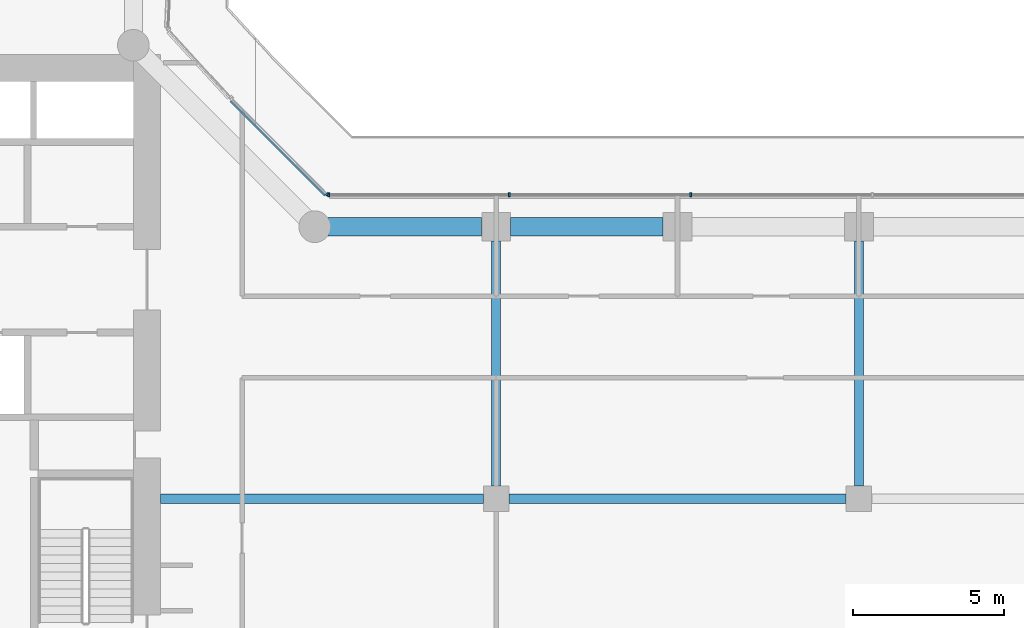
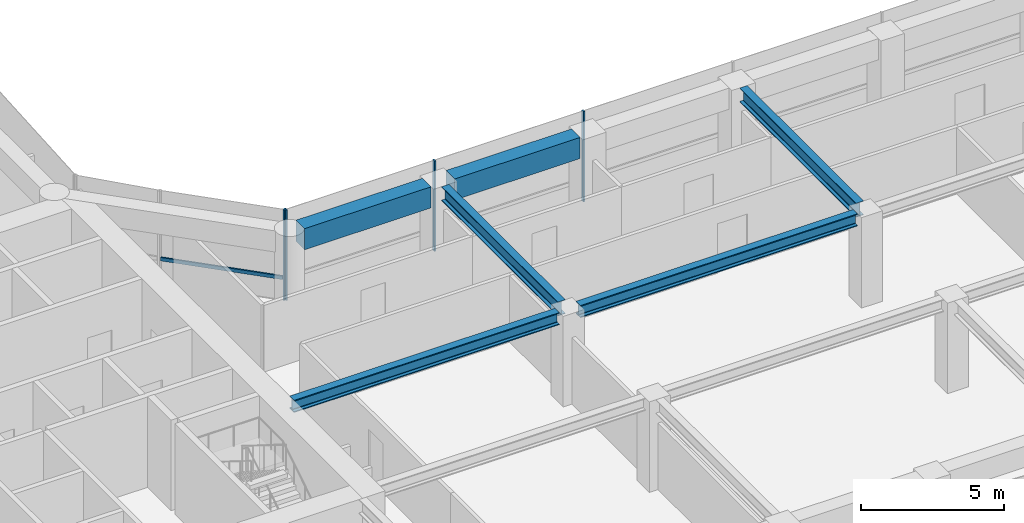
# One storey, part 9 of 29: 6 beams, 5 members, 2 elements without a shape of their own.
"""IFC4 building model written with IfcOpenShell, lengths in metres."""

import ifcopenshell
import ifcopenshell.guid

model = None  # the IFC model being written
_history = None  # IfcOwnerHistory: only IFC2X3 demands one
_inside = {}  # id of a spatial element -> (the spatial element, [elements in it])
_under = {}  # id of a project, library or spatial element -> (it, [spatial elements below it])
_declared = {}  # id of a project -> (the project, [libraries it declares])
_typed = {}  # id of a type object -> (the type object, [elements of that type])
_made_of = {}  # id of a material, layer set ... -> (it, [elements and type objects made of it])


def new_model(schema):
    """Start an empty IFC model of exactly this schema.

    Asked for "IFC4X3", IfcOpenShell would pick the latest addendum, in which some entities
    have other attributes; the version numbers below select the first issue.
    IFC2X3 requires an IfcOwnerHistory on every rooted entity: one is made here for all.
    """
    global model, _history
    if schema == "IFC4X3":
        model = ifcopenshell.file(schema_version=(4, 3, 0, 0))
    else:
        model = ifcopenshell.file(schema=schema)
    _inside.clear()
    _under.clear()
    _declared.clear()
    _typed.clear()
    _made_of.clear()
    _history = None
    if model.schema == "IFC2X3":
        org = make("IfcOrganization", Name="unknown")
        user = make(
            "IfcPersonAndOrganization",
            ThePerson=make("IfcPerson", FamilyName="unknown"),
            TheOrganization=org,
        )
        app = make(
            "IfcApplication",
            ApplicationDeveloper=org,
            Version="unknown",
            ApplicationFullName="unknown",
            ApplicationIdentifier="unknown",
        )
        _history = make(
            "IfcOwnerHistory",
            OwningUser=user,
            OwningApplication=app,
            ChangeAction="ADDED",
            CreationDate=0,
        )
    return model


def make(cls, **values):
    """One entity of the class cls with the attributes given. An attribute that is None is left unset."""
    return model.create_entity(
        cls, **{name: value for name, value in values.items() if value is not None}
    )


def rooted(cls, **values):
    """An entity with a GlobalId (a new one), such as an element, a storey or a relation."""
    return make(cls, GlobalId=ifcopenshell.guid.new(), OwnerHistory=_history, **values)


def si_unit(unit_type, name, prefix=None):
    """IfcSIUnit, for example si_unit("LENGTHUNIT", "METRE", prefix="MILLI")."""
    return make("IfcSIUnit", UnitType=unit_type, Prefix=prefix, Name=name)


def assignment(units):
    """IfcUnitAssignment: the units of a project."""
    return None if units is None else make("IfcUnitAssignment", Units=units)


def point(xyz):
    """IfcCartesianPoint."""
    return None if xyz is None else make("IfcCartesianPoint", Coordinates=xyz)


def direction(xyz):
    """IfcDirection."""
    return None if xyz is None else make("IfcDirection", DirectionRatios=xyz)


def frame(location, z_axis=None, x_axis=None):
    """IfcAxis2Placement3D, a coordinate frame: its origin and axes. An axis left out is left unset."""
    return make(
        "IfcAxis2Placement3D",
        Location=point(location),
        Axis=direction(z_axis),
        RefDirection=direction(x_axis),
    )


def frame_2d(location, x_axis=None):
    """IfcAxis2Placement2D, a coordinate frame in the plane: its origin and x axis."""
    return make(
        "IfcAxis2Placement2D", Location=point(location), RefDirection=direction(x_axis)
    )


def origin():
    """The frame at (0, 0, 0) with its axes left unset."""
    return frame((0.0, 0.0, 0.0))


def origin_2d():
    """The frame at (0, 0) in the plane with its x axis left unset."""
    return frame_2d((0.0, 0.0))


def place(relative_to, where):
    """IfcLocalPlacement: puts the frame where relative to a parent placement (None: the world)."""
    return make(
        "IfcLocalPlacement", PlacementRelTo=relative_to, RelativePlacement=where
    )


def context(
    kind, dimensions, precision=None, world=None, true_north=None, identifier=None
):
    """IfcGeometricRepresentationContext, for example the 3D "Model" context."""
    return make(
        "IfcGeometricRepresentationContext",
        ContextIdentifier=identifier,
        ContextType=kind,
        CoordinateSpaceDimension=dimensions,
        Precision=precision,
        WorldCoordinateSystem=world,
        TrueNorth=true_north,
    )


def subcontext(parent, identifier, kind, view, scale=None):
    """IfcGeometricRepresentationSubContext, for example "Body" below "Model"."""
    return make(
        "IfcGeometricRepresentationSubContext",
        ContextIdentifier=identifier,
        ContextType=kind,
        ParentContext=parent,
        TargetScale=scale,
        TargetView=view,
    )


def project(units=None, contexts=None):
    """IfcProject with its units and contexts."""
    return rooted(
        "IfcProject",
        Name="project",
        RepresentationContexts=contexts,
        UnitsInContext=assignment(units),
    )


def spatial(cls, under=None, at=None, **own):
    """A site, building, storey or space (cls), placed at a placement, below another one or the project."""
    s = rooted(cls, ObjectPlacement=at, **own)
    if under is not None:
        _under.setdefault(under.id(), (under, []))[1].append(s)
    return s


def profile(cls, at=None, kind="AREA", **sizes):
    """A parametric profile (cls). Its sizes go by their IFC names, for example OverallWidth=200.0."""
    return make(cls, ProfileType=kind, Position=at, **sizes)


def rectangle(**sizes):
    """IfcRectangleProfileDef."""
    return profile("IfcRectangleProfileDef", **sizes)


def i_section(**sizes):
    """IfcIShapeProfileDef."""
    return profile("IfcIShapeProfileDef", **sizes)


def extrude(swept, where, along, depth):
    """IfcExtrudedAreaSolid: the profile swept, set in the frame where, extruded along a direction by depth."""
    return make(
        "IfcExtrudedAreaSolid",
        SweptArea=swept,
        Position=where,
        ExtrudedDirection=direction(along),
        Depth=depth,
    )


def shape(context_of_items, identifier, shape_type, items):
    """IfcShapeRepresentation: the items that make up one representation, for example the "Body"."""
    return make(
        "IfcShapeRepresentation",
        ContextOfItems=context_of_items,
        RepresentationIdentifier=identifier,
        RepresentationType=shape_type,
        Items=items,
    )


def material(Name=None, Category=None):
    """IfcMaterial."""
    return make("IfcMaterial", Name=Name, Category=Category)


def layer(
    of_material, thickness, ventilated=None, Name=None, Category=None, Priority=None
):
    """IfcMaterialLayer: one layer of a wall or slab, of a material (None: an air gap)."""
    return make(
        "IfcMaterialLayer",
        Material=of_material,
        LayerThickness=thickness,
        IsVentilated=ventilated,
        Name=Name,
        Category=Category,
        Priority=Priority,
    )


def layer_set(layers, Name=None):
    """IfcMaterialLayerSet."""
    return make("IfcMaterialLayerSet", MaterialLayers=layers, LayerSetName=Name)


def material_profile(
    of_material, cross_section, Name=None, Category=None, Priority=None
):
    """IfcMaterialProfile: a cross section and its material."""
    return make(
        "IfcMaterialProfile",
        Name=Name,
        Material=of_material,
        Profile=cross_section,
        Priority=Priority,
        Category=Category,
    )


def profile_set(profiles, Name=None, composite=None):
    """IfcMaterialProfileSet."""
    return make(
        "IfcMaterialProfileSet",
        Name=Name,
        MaterialProfiles=profiles,
        CompositeProfile=composite,
    )


def made_of(thing, what):
    """Note that an element or type object is made of a material, layer set ...; save() writes the relation."""
    if what is not None:
        _made_of.setdefault(what.id(), (what, []))[1].append(thing)
    return thing


def type_object(cls, material=None, **own):
    """A type object (cls), such as IfcWallType, which elements share."""
    return made_of(rooted(cls, **own), material)


def element(
    cls,
    number,
    at=None,
    inside=None,
    cuts=None,
    type_object=None,
    material=None,
    context=None,
    identifier="Body",
    shape_type=None,
    held_by="IfcProductDefinitionShape",
    body=None,
    shapes=None,
    **own,
):
    """One element of the class cls, such as IfcWall. Its Tag is "e" and its number.

    at: its placement. inside: the storey or other place that contains it. cuts: it is an
    opening in that element (IfcRelVoidsElement). A single representation is given by context,
    identifier, shape_type and body (its items); several are given by shapes. held_by: the class
    of the entity that holds the representations. save() writes the other relations.
    """
    e = rooted(cls, Tag="e%d" % number, ObjectPlacement=at, **own)
    if body is not None:
        shapes = [shape(context, identifier, shape_type, body)]
    if shapes is not None:
        e.Representation = make(held_by, Representations=shapes)
    if inside is not None:
        _inside.setdefault(inside.id(), (inside, []))[1].append(e)
    if cuts is not None:
        rooted(
            "IfcRelVoidsElement", RelatingBuildingElement=cuts, RelatedOpeningElement=e
        )
    if type_object is not None:
        _typed.setdefault(type_object.id(), (type_object, []))[1].append(e)
    return made_of(e, material)


def aggregate(whole, parts):
    """IfcRelAggregates: a whole, such as a stair, and the parts it consists of."""
    return rooted("IfcRelAggregates", RelatingObject=whole, RelatedObjects=parts)


def save(model, path):
    """Write the relations noted so far, then the file.

    IfcRelAggregates (storeys below a building ...), IfcRelContainedInSpatialStructure (elements
    in a storey), IfcRelDefinesByType, IfcRelAssociatesMaterial and IfcRelDeclares: one each for
    every whole, place, type object, material and project.
    """
    for whole, parts in _under.values():
        aggregate(whole, parts)
    for where, things in _inside.values():
        rooted(
            "IfcRelContainedInSpatialStructure",
            RelatedElements=things,
            RelatingStructure=where,
        )
    for kind, things in _typed.values():
        rooted("IfcRelDefinesByType", RelatedObjects=things, RelatingType=kind)
    for what, things in _made_of.values():
        rooted("IfcRelAssociatesMaterial", RelatedObjects=things, RelatingMaterial=what)
    for by, libraries in _declared.values():
        rooted("IfcRelDeclares", RelatingContext=by, RelatedDefinitions=libraries)
    model.write(path)


model = new_model("IFC4")

# Units and contexts
model_context = context("Model", 3, precision=1e-05, world=origin(), true_north=direction((0.0, 1.0)))
body_context = subcontext(model_context, "Body", "Model", "MODEL_VIEW")
ifc_project = project(units=[si_unit("LENGTHUNIT", "METRE"), si_unit("AREAUNIT", "SQUARE_METRE"), si_unit("VOLUMEUNIT", "CUBIC_METRE"), si_unit("PLANEANGLEUNIT", "RADIAN"), si_unit("MASSUNIT", "GRAM", prefix="KILO")], contexts=[model_context])

# Site, building, storey
site_placement = place(None, origin())
site = spatial("IfcSite", under=ifc_project, at=site_placement, CompositionType="ELEMENT")
building_placement = place(site_placement, origin())
building = spatial("IfcBuilding", under=site, at=building_placement, Name="Welwitschia Terrace Campus", CompositionType="ELEMENT")
storey_placement = place(building_placement, frame((0.0, 0.0, 41.60009765625)))
storey = spatial("IfcBuildingStorey", under=building, at=storey_placement, Name="L09", CompositionType="ELEMENT", Elevation=41.60009765625)

# Beams
ifc_material_1 = material(Name="Steel S355", Category="steel")
ifc_material_profile_1 = material_profile(ifc_material_1, i_section(OverallWidth=0.305908203125, OverallDepth=0.52392578125, WebThickness=0.02099609375, FlangeThickness=0.0400390625, FilletRadius=0.027099609375, at=origin_2d()))
ifc_profile_set_1 = profile_set([ifc_material_profile_1], Name="Steel S355")
beam_type_1 = type_object("IfcBeamType", Name="Interior girder HE 500 M", PredefinedType="BEAM", material=ifc_profile_set_1)
beam_1_placement = place(storey_placement, frame((24.90087890625, 11.0, 3.587890625), z_axis=(1.0, 0.0, 0.0), x_axis=(0.0, 1.0, 0.0)))
element("IfcBeam", 1, at=beam_1_placement, inside=storey, type_object=beam_type_1, Name="Girder GB2", PredefinedType="BEAM", context=body_context, shape_type="SweptSolid", body=[
    extrude(i_section(OverallWidth=0.305908203125, OverallDepth=0.52392578125, WebThickness=0.02099609375, FlangeThickness=0.0400390625, FilletRadius=0.027099609375, at=origin_2d()), origin(), (0.0, 0.0, 1.0), 10.673583984375),
])
beam_2_placement = place(storey_placement, frame((36.425537109375, 11.0, 3.587890625), z_axis=(1.0, 0.0, 0.0), x_axis=(0.0, 1.0, 0.0)))
element("IfcBeam", 2, at=beam_2_placement, inside=storey, type_object=beam_type_1, Name="Girder GB2", PredefinedType="BEAM", context=body_context, shape_type="SweptSolid", body=[
    extrude(i_section(OverallWidth=0.305908203125, OverallDepth=0.52392578125, WebThickness=0.02099609375, FlangeThickness=0.0400390625, FilletRadius=0.027099609375, at=origin_2d()), origin(), (0.0, 0.0, 1.0), 11.14892578125),
])

# Curtain wall, members
ifc_material_2 = material(Name="Bronze anodised aluminium", Category="aluminium")
ifc_layer = layer(ifc_material_2, 0.1201171875)
ifc_layer_set = layer_set([ifc_layer], Name="Bronze anodised aluminium")
curtain_wall_type = type_object("IfcCurtainWallType", Name="Curtain wall CW2 tower 6000", PredefinedType="NOTDEFINED", material=ifc_layer_set)
curtain_wall_1_placement = place(storey_placement, origin())
curtain_wall_1 = element("IfcCurtainWall", 3, at=curtain_wall_1_placement, inside=storey, type_object=curtain_wall_type, Name="CW L09.8.0", PredefinedType="NOTDEFINED")
ifc_material_3 = material(Name="Bronze anodised aluminium", Category="aluminium")
ifc_material_profile_2 = material_profile(ifc_material_3, rectangle(XDim=0.1201171875, YDim=0.06005859375, at=origin_2d()))
ifc_profile_set_2 = profile_set([ifc_material_profile_2], Name="Bronze anodised aluminium")
member_type_1 = type_object("IfcMemberType", Name="Mullion 60x120", PredefinedType="MULLION", material=ifc_profile_set_2)
member_1_placement = place(storey_placement, frame((42.438232421875, 21.05810546875, 0.0), z_axis=(0.0, 0.0, 1.0), x_axis=(0.0, -1.0, 0.0)))
member_1 = element("IfcMember", 4, at=member_1_placement, type_object=member_type_1, Name="Mullion L09.8.0.3", PredefinedType="MULLION", context=body_context, shape_type="SweptSolid", body=[
    extrude(rectangle(XDim=0.1201171875, YDim=0.06005859375, at=origin_2d()), origin(), (0.0, 0.0, 1.0), 3.849853515625),
])
member_2_placement = place(storey_placement, frame((36.438232421875, 21.05810546875, 0.0), z_axis=(0.0, 0.0, 1.0), x_axis=(0.0, -1.0, 0.0)))
member_2 = element("IfcMember", 5, at=member_2_placement, type_object=member_type_1, Name="Mullion L09.8.0.4", PredefinedType="MULLION", context=body_context, shape_type="SweptSolid", body=[
    extrude(rectangle(XDim=0.1201171875, YDim=0.06005859375, at=origin_2d()), origin(), (0.0, 0.0, 1.0), 3.849853515625),
])
member_3_placement = place(storey_placement, frame((30.46826171875, 21.05810546875, 0.0), z_axis=(0.0, 0.0, 1.0), x_axis=(0.0, -1.0, 0.0)))
member_3 = element("IfcMember", 6, at=member_3_placement, type_object=member_type_1, Name="Mullion L09.8.0.5", PredefinedType="MULLION", context=body_context, shape_type="SweptSolid", body=[
    extrude(rectangle(XDim=0.1201171875, YDim=0.06005859375, at=origin_2d()), origin(), (0.0, 0.0, 1.0), 3.849853515625),
])
aggregate(curtain_wall_1, [member_1, member_2, member_3])

# Curtain wall, member
curtain_wall_2_placement = place(storey_placement, origin())
curtain_wall_2 = element("IfcCurtainWall", 7, at=curtain_wall_2_placement, inside=storey, type_object=curtain_wall_type, Name="CW L09.9.0", PredefinedType="NOTDEFINED")
member_4_placement = place(storey_placement, frame((30.4169921875, 21.0791015625, 0.0), z_axis=(0.0, 0.0, 1.0), x_axis=(-0.707106781187, -0.707106781187, 0.0)))
member_4 = element("IfcMember", 8, at=member_4_placement, type_object=member_type_1, Name="Mullion L09.9.0.0", PredefinedType="MULLION", context=body_context, shape_type="SweptSolid", body=[
    extrude(rectangle(XDim=0.1201171875, YDim=0.06005859375, at=origin_2d()), origin(), (0.0, 0.0, 1.0), 3.849853515625),
])

# Beams
ifc_material_4 = material(Name="Steel S355", Category="steel")
ifc_material_profile_3 = material_profile(ifc_material_4, i_section(OverallWidth=0.300048828125, OverallDepth=0.60009765625, WebThickness=0.015380859375, FlangeThickness=0.030029296875, FilletRadius=0.027099609375, at=origin_2d()))
ifc_profile_set_3 = profile_set([ifc_material_profile_3], Name="Steel S355")
beam_type_2 = type_object("IfcBeamType", Name="Primary beam HE 600 B", PredefinedType="BEAM", material=ifc_profile_set_3)
for number, where, z_axis, x_axis, name in (
    (9, (48.0, 19.5244140625, 3.5498046875), (0.0, -1.0, 0.0), (1.0, 0.0, 0.0), "Primary beam PB2"),
    (10, (36.0, 19.5244140625, 3.5498046875), (0.0, -1.0, 0.0), (1.0, 0.0, 0.0), "Primary beam PB2"),
):
    element("IfcBeam", number, at=place(storey_placement, frame(where, z_axis=z_axis, x_axis=x_axis)), inside=storey, type_object=beam_type_2, Name=name, PredefinedType="BEAM", context=body_context, shape_type="SweptSolid", body=[
        extrude(i_section(OverallWidth=0.300048828125, OverallDepth=0.60009765625, WebThickness=0.015380859375, FlangeThickness=0.030029296875, FilletRadius=0.027099609375, at=origin_2d()), origin(), (0.0, 0.0, 1.0), 8.098876953125),
    ])
ifc_material_5 = material(Name="Concrete C60/75", Category="concrete")
ifc_material_profile_4 = material_profile(ifc_material_5, rectangle(XDim=0.60009765625, YDim=0.89990234375, at=origin_2d()))
ifc_profile_set_4 = profile_set([ifc_material_profile_4], Name="Concrete C60/75")
beam_type_3 = type_object("IfcBeamType", Name="Ring spandrel 600x900", PredefinedType="SPANDREL", material=ifc_profile_set_4)
beam_3_placement = place(storey_placement, frame((41.5244140625, 20.0, 3.39990234375), z_axis=(-1.0, 0.0, 0.0), x_axis=(0.0, -1.0, 0.0)))
element("IfcBeam", 11, at=beam_3_placement, inside=storey, type_object=beam_type_3, Name="Spandrel SP2", PredefinedType="SPANDREL", context=body_context, shape_type="SweptSolid", body=[
    extrude(rectangle(XDim=0.60009765625, YDim=0.89990234375, at=origin_2d()), origin(), (0.0, 0.0, 1.0), 5.048828125),
])
beam_4_placement = place(storey_placement, frame((35.5244140625, 20.0, 3.39990234375), z_axis=(-1.0, 0.0, 0.0), x_axis=(0.0, -1.0, 0.0)))
element("IfcBeam", 12, at=beam_4_placement, inside=storey, type_object=beam_type_3, Name="Spandrel SP2", PredefinedType="SPANDREL", context=body_context, shape_type="SweptSolid", body=[
    extrude(rectangle(XDim=0.60009765625, YDim=0.89990234375, at=origin_2d()), origin(), (0.0, 0.0, 1.0), 5.093017578125),
])

# Member
ifc_material_6 = material(Name="Bronze anodised aluminium", Category="aluminium")
ifc_material_profile_5 = material_profile(ifc_material_6, rectangle(XDim=0.06005859375, YDim=0.14990234375, at=origin_2d()))
ifc_profile_set_5 = profile_set([ifc_material_profile_5], Name="Bronze anodised aluminium")
member_type_2 = type_object("IfcMemberType", Name="Transom 60x150", PredefinedType="USERDEFINED", material=ifc_profile_set_5)
member_5_placement = place(storey_placement, frame((30.332275390625, 21.036865234375, 1.0), z_axis=(-0.707134498364, 0.707079062922, 0.0), x_axis=(-0.707079062922, -0.707134498364, 0.0)))
member_5 = element("IfcMember", 13, at=member_5_placement, type_object=member_type_2, Name="Transom L09.9.0", ObjectType="TRANSOM", PredefinedType="USERDEFINED", context=body_context, shape_type="SweptSolid", body=[
    extrude(rectangle(XDim=0.06005859375, YDim=0.14990234375, at=origin_2d()), origin(), (0.0, 0.0, 1.0), 4.404052734375),
])

aggregate(curtain_wall_2, [member_4, member_5])

save(model, "model.ifc")
